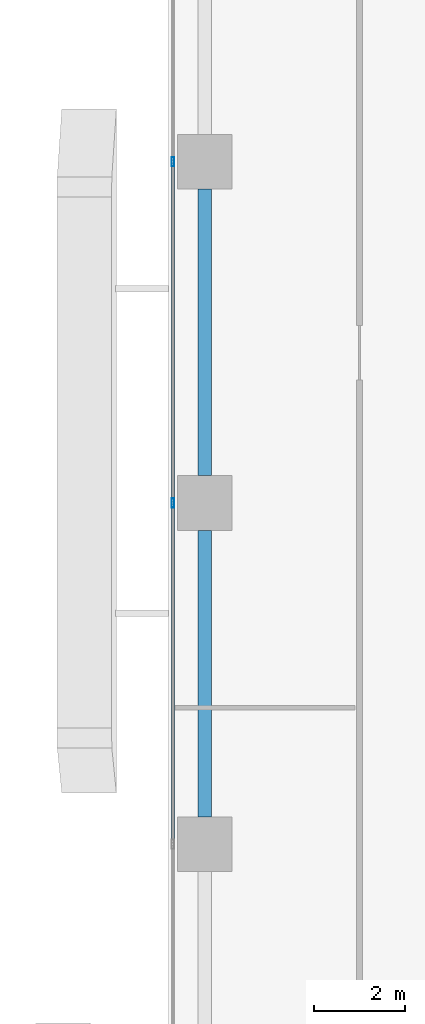
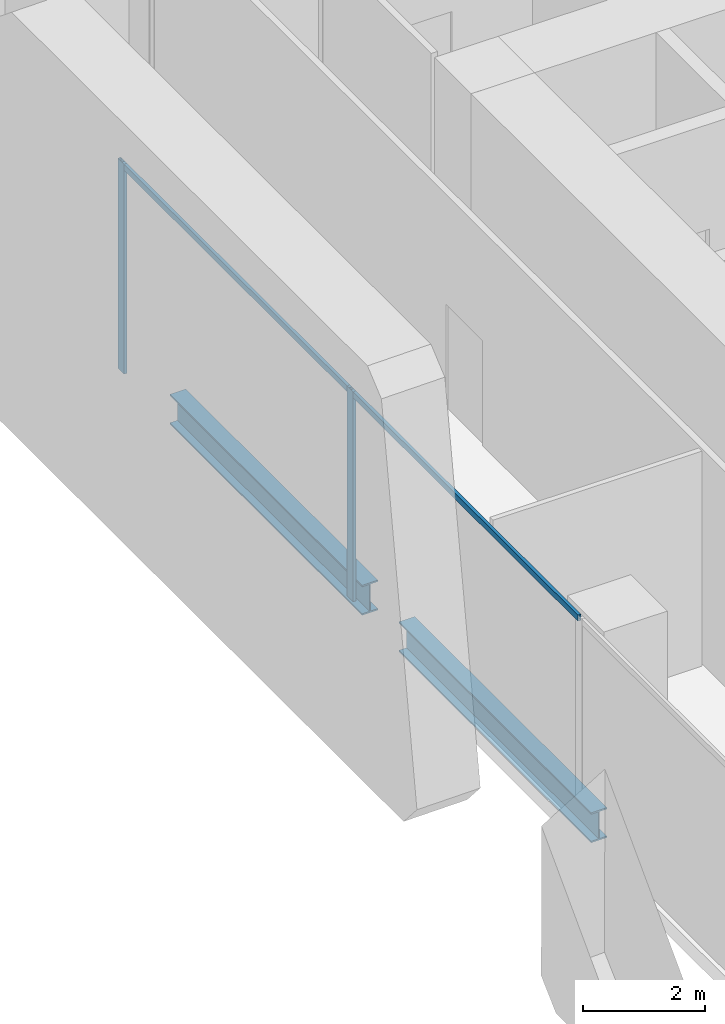
# One storey, part 11 of 34: 4 members, 2 beams, 1 element without a shape of its own.
"""IFC4 building model written with IfcOpenShell, lengths in metres."""

from ifc_helpers import new_model, si_unit, direction, frame, origin, origin_2d, place, context, subcontext, project, spatial, hollow_rectangle, i_section, extrude, source, transform, mapped, material, material_profile, profile_set, type_object, element, aggregate, save


model = new_model("IFC4")

# Units and contexts
model_context = context("Model", 3, precision=1e-05, world=origin(), true_north=direction((0.0, 1.0)))
body_context = subcontext(model_context, "Body", "Model", "MODEL_VIEW")
ifc_project = project(units=[si_unit("LENGTHUNIT", "METRE"), si_unit("AREAUNIT", "SQUARE_METRE"), si_unit("VOLUMEUNIT", "CUBIC_METRE"), si_unit("PLANEANGLEUNIT", "RADIAN"), si_unit("MASSUNIT", "GRAM", prefix="KILO")], contexts=[model_context])

# Site, building, storey
site_placement = place(None, origin())
site = spatial("IfcSite", under=ifc_project, at=site_placement, CompositionType="ELEMENT")
building_placement = place(site_placement, origin())
building = spatial("IfcBuilding", under=site, at=building_placement, Name="Khomas Fold Tower", CompositionType="ELEMENT")
storey_placement = place(building_placement, frame((0.0, 0.0, 51.0)))
storey = spatial("IfcBuildingStorey", under=building, at=storey_placement, Name="L10", CompositionType="ELEMENT", Elevation=51.0)

# Beams
ifc_material_1 = material(Name="Steel S355", Category="steel")
ifc_material_profile_1 = material_profile(ifc_material_1, i_section(OverallWidth=0.300048828125, OverallDepth=0.60009765625, WebThickness=0.015380859375, FlangeThickness=0.030029296875, at=origin_2d()), Name="HE 600 B")
ifc_profile_set_1 = profile_set([ifc_material_profile_1], Name="Steel S355")
beam_type = type_object("IfcBeamType", Name="HE 600 B spandrel SB1", PredefinedType="SPANDREL", material=ifc_profile_set_1)
shared_shape_1 = source(origin(), body_context, "Body", "SweptSolid", [
    extrude(i_section(OverallWidth=0.300048828125, OverallDepth=0.60009765625, WebThickness=0.015380859375, FlangeThickness=0.030029296875, at=origin_2d()), origin(), (0.0, 0.0, 1.0), 6.2998046875),
])
for number, where, z_axis, x_axis, name in (
    (1, (0.800048828125, 35.10009765625, -0.60009765625), (0.0, 1.0, 0.0), (-1.0, 0.0, 0.0), "SB1"),
    (2, (0.800048828125, 27.60009765625, -0.60009765625), (0.0, 1.0, 0.0), (-1.0, 0.0, 0.0), "SB1"),
):
    element("IfcBeam", number, at=place(storey_placement, frame(where, z_axis=z_axis, x_axis=x_axis)), inside=storey, type_object=beam_type, Name=name, PredefinedType="SPANDREL", context=body_context, shape_type="MappedRepresentation", body=[
        mapped(shared_shape_1, transform((0.0, 0.0, 0.0))),
    ])

# Curtain wall, members
ifc_material_2 = material(Name="Aluminium framed double glazing", Category="aluminium")
curtain_wall_type = type_object("IfcCurtainWallType", Name="SK-Unitised clear-glass wall, growing floors CW1", PredefinedType="NOTDEFINED", material=ifc_material_2)
curtain_wall_placement = place(storey_placement, origin())
curtain_wall = element("IfcCurtainWall", 3, at=curtain_wall_placement, inside=storey, type_object=curtain_wall_type, Name="CW1 run L10 09-0", PredefinedType="NOTDEFINED")
ifc_material_3 = material(Name="Aluminium", Category="aluminium")
ifc_material_profile_2 = material_profile(ifc_material_3, hollow_rectangle(XDim=0.06005859375, YDim=0.1201171875, WallThickness=0.00390625, at=origin_2d()), Name="SK-Unitised clear-glass wall, growing floors transom CW1-T")
ifc_profile_set_2 = profile_set([ifc_material_profile_2], Name="Aluminium")
member_type_1 = type_object("IfcMemberType", Name="SK-Unitised clear-glass wall, growing floors transom CW1-T", PredefinedType="USERDEFINED", material=ifc_profile_set_2)
shared_shape_2 = source(origin(), body_context, "Body", "SweptSolid", [
    extrude(hollow_rectangle(XDim=0.06005859375, YDim=0.1201171875, WallThickness=0.00390625, at=origin_2d()), origin(), (0.0, 0.0, 1.0), 7.43994140625),
])
member_1_placement = place(storey_placement, frame((0.10009765625, 41.969970703125, 4.139892578125), z_axis=(0.0, -1.0, 0.0), x_axis=(1.0, 0.0, 0.0)))
member_1 = element("IfcMember", 4, at=member_1_placement, type_object=member_type_1, Name="CW1 transom 3", ObjectType="TRANSOM", PredefinedType="USERDEFINED", context=body_context, shape_type="MappedRepresentation", body=[
    mapped(shared_shape_2, transform((0.0, 0.0, 0.0))),
])
member_2_placement = place(storey_placement, frame((0.10009765625, 34.469970703125, 4.139892578125), z_axis=(0.0, -1.0, 0.0), x_axis=(1.0, 0.0, 0.0)))
member_2 = element("IfcMember", 5, at=member_2_placement, type_object=member_type_1, Name="CW1 transom 4", ObjectType="TRANSOM", PredefinedType="USERDEFINED", context=body_context, shape_type="MappedRepresentation", body=[
    mapped(shared_shape_2, transform((0.0, 0.0, 0.0))),
])
ifc_material_4 = material(Name="Aluminium", Category="aluminium")
ifc_material_profile_3 = material_profile(ifc_material_4, hollow_rectangle(XDim=0.06005859375, YDim=0.199951171875, WallThickness=0.00390625, at=origin_2d()), Name="SK-Unitised clear-glass wall, growing floors mullion CW1-M")
ifc_profile_set_3 = profile_set([ifc_material_profile_3], Name="Aluminium")
member_type_2 = type_object("IfcMemberType", Name="SK-Unitised clear-glass wall, growing floors mullion CW1-M", PredefinedType="MULLION", material=ifc_profile_set_3)
shared_shape_3 = source(origin(), body_context, "Body", "SweptSolid", [
    extrude(hollow_rectangle(XDim=0.06005859375, YDim=0.199951171875, WallThickness=0.00390625, at=origin_2d()), origin(), (0.0, 0.0, 1.0), 4.199951171875),
])
member_3_placement = place(storey_placement, frame((0.10009765625, 42.0, 0.0), z_axis=(0.0, 0.0, 1.0), x_axis=(1.0, 0.0, 0.0)))
member_3 = element("IfcMember", 6, at=member_3_placement, type_object=member_type_2, Name="CW1 mullion 3", PredefinedType="MULLION", context=body_context, shape_type="MappedRepresentation", body=[
    mapped(shared_shape_3, transform((0.0, 0.0, 0.0))),
])
member_4_placement = place(storey_placement, frame((0.10009765625, 34.5, 0.0), z_axis=(0.0, 0.0, 1.0), x_axis=(1.0, 0.0, 0.0)))
member_4 = element("IfcMember", 7, at=member_4_placement, type_object=member_type_2, Name="CW1 mullion 4", PredefinedType="MULLION", context=body_context, shape_type="MappedRepresentation", body=[
    mapped(shared_shape_3, transform((0.0, 0.0, 0.0))),
])
aggregate(curtain_wall, [member_3, member_4, member_1, member_2])

save(model, "model.ifc")
